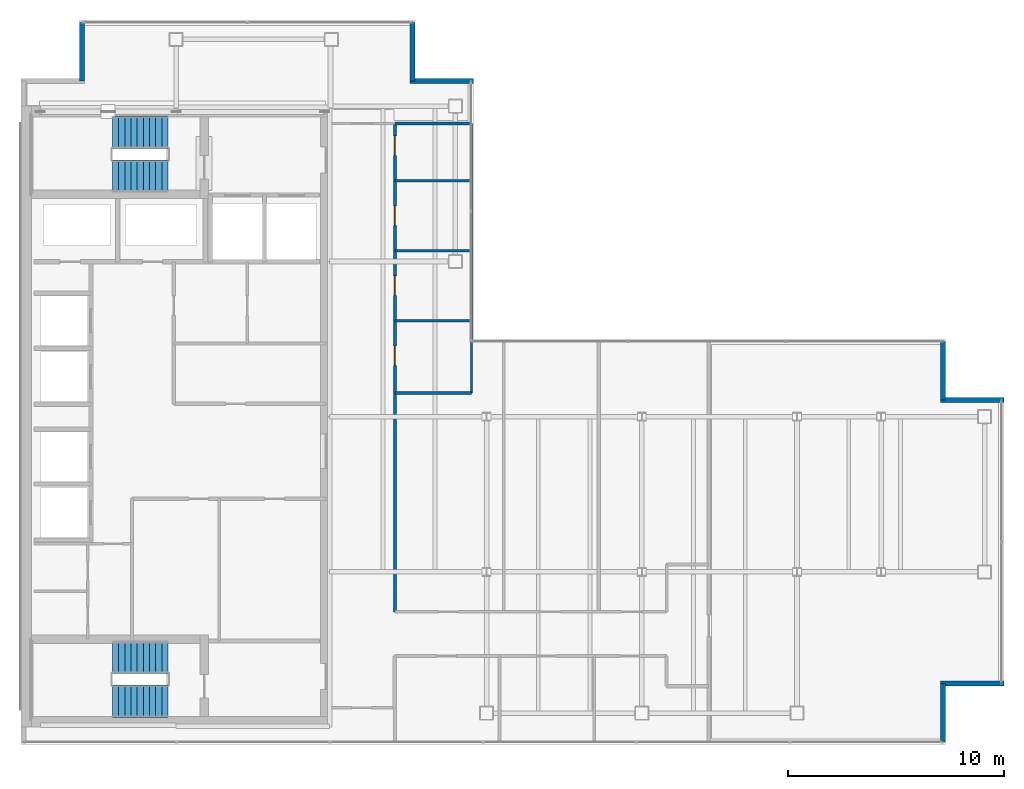
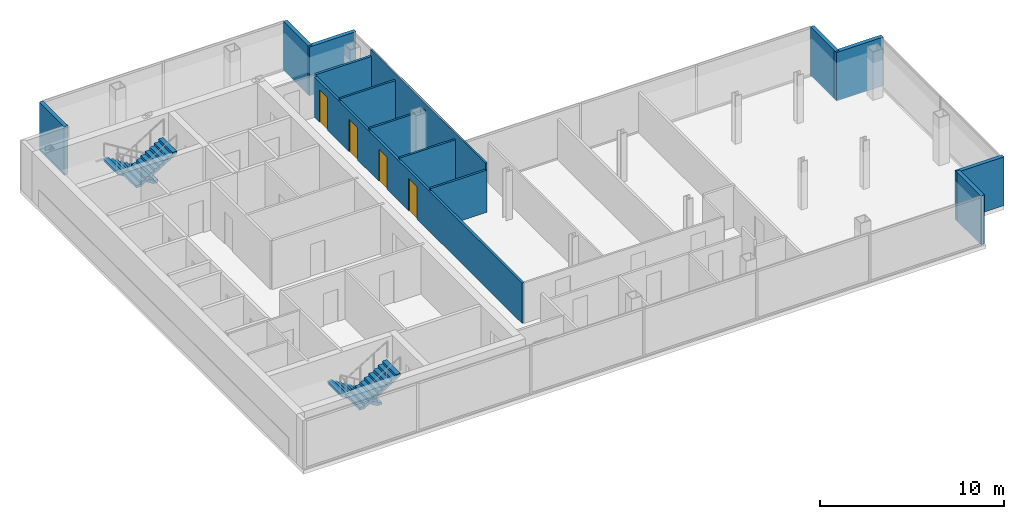
# One storey, part 22 of 23: 14 walls, 4 doors, 4 stair flights, 4 openings, 2 elements without a shape of their own.
"""IFC4 building model written with IfcOpenShell, lengths in metres."""

from ifc_helpers import new_model, si_unit, direction, frame, frame_2d, origin, place, context, subcontext, project, spatial, polyline, rectangle, outline, extrude, material, layer, layer_set, type_object, element, fill, aggregate, save


model = new_model("IFC4")

# Units and contexts
model_context = context("Model", 3, precision=1e-05, world=origin(), true_north=direction((0.0, 1.0)))
body_context = subcontext(model_context, "Body", "Model", "MODEL_VIEW")
ifc_project = project(units=[si_unit("LENGTHUNIT", "METRE"), si_unit("AREAUNIT", "SQUARE_METRE"), si_unit("VOLUMEUNIT", "CUBIC_METRE"), si_unit("PLANEANGLEUNIT", "RADIAN"), si_unit("MASSUNIT", "GRAM", prefix="KILO")], contexts=[model_context])

# Site, building, storey
site_placement = place(None, origin())
site = spatial("IfcSite", under=ifc_project, at=site_placement, CompositionType="ELEMENT")
building_placement = place(site_placement, origin())
building = spatial("IfcBuilding", under=site, at=building_placement, Name="Cobrela Telecom Tower", CompositionType="ELEMENT")
storey_placement = place(building_placement, frame((0.0, 0.0, 286.64990234375)))
storey = spatial("IfcBuildingStorey", under=building, at=storey_placement, Name="L75", CompositionType="ELEMENT", Elevation=286.64990234375)

# Walls
ifc_material_1 = material(Name="Concrete C40/50", Category="concrete")
ifc_layer_1 = layer(ifc_material_1, 0.239990234375)
ifc_layer_set_1 = layer_set([ifc_layer_1], Name="Concrete C40/50")
wall_type_1 = type_object("IfcWallType", Name="WALL-EXT-300", PredefinedType="STANDARD", material=ifc_layer_set_1)
for number, where, z_axis, x_axis, name in (
    (1, (2.830078125, 37.169921875, 0.0), (0.0, 0.0, 1.0), (0.0, 1.0, 0.0), "L75 Insulated Facade Wall 04"),
    (2, (18.169921875, 39.8798828125, 0.0), (0.0, 0.0, 1.0), (0.0, -1.0, 0.0), "L75 Insulated Facade Wall 06"),
):
    element("IfcWall", number, at=place(storey_placement, frame(where, z_axis=z_axis, x_axis=x_axis)), inside=storey, type_object=wall_type_1, Name=name, PredefinedType="STANDARD", context=body_context, shape_type="SweptSolid", body=[
        extrude(rectangle(XDim=2.7099609375, YDim=0.239990234375, at=frame_2d((1.35498046875, 0.0))), origin(), (0.0, 0.0, 1.0), 3.239990234375),
    ])
wall_1_placement = place(storey_placement, frame((18.050048828125, 37.169921875, 0.0), z_axis=(0.0, 0.0, 1.0), x_axis=(1.0, 0.0, 0.0)))
element("IfcWall", 3, at=wall_1_placement, inside=storey, type_object=wall_type_1, Name="L75 Insulated Facade Wall 07", PredefinedType="STANDARD", context=body_context, shape_type="SweptSolid", body=[
    extrude(rectangle(XDim=2.949951171875, YDim=0.239990234375, at=frame_2d((1.47509765625, 0.0))), origin(), (0.0, 0.0, 1.0), 3.239990234375),
])
wall_2_placement = place(storey_placement, frame((42.77001953125, 25.080078125, 0.0), z_axis=(0.0, 0.0, 1.0), x_axis=(0.0, -1.0, 0.0)))
element("IfcWall", 4, at=wall_2_placement, inside=storey, type_object=wall_type_1, Name="L75 Insulated Facade Wall 10", PredefinedType="STANDARD", context=body_context, shape_type="SweptSolid", body=[
    extrude(rectangle(XDim=2.7099609375, YDim=0.239990234375, at=frame_2d((1.35498046875, 0.0))), origin(), (0.0, 0.0, 1.0), 3.239990234375),
])
for number, where, z_axis, x_axis, name in (
    (5, (42.64990234375, 22.3701171875, 0.0), (0.0, 0.0, 1.0), (1.0, 0.0, 0.0), "L75 Insulated Facade Wall 11"),
    (6, (45.60009765625, 9.22998046875, 0.0), (0.0, 0.0, 1.0), (-1.0, 0.0, 0.0), "L75 Insulated Facade Wall 13"),
):
    element("IfcWall", number, at=place(storey_placement, frame(where, z_axis=z_axis, x_axis=x_axis)), inside=storey, type_object=wall_type_1, Name=name, PredefinedType="STANDARD", context=body_context, shape_type="SweptSolid", body=[
        extrude(rectangle(XDim=2.9501953125, YDim=0.239990234375, at=frame_2d((1.47509765625, 0.0))), origin(), (0.0, 0.0, 1.0), 3.239990234375),
    ])
wall_3_placement = place(storey_placement, frame((42.77001953125, 9.22998046875, 0.0), z_axis=(0.0, 0.0, 1.0), x_axis=(0.0, -1.0, 0.0)))
element("IfcWall", 7, at=wall_3_placement, inside=storey, type_object=wall_type_1, Name="L75 Insulated Facade Wall 14", PredefinedType="STANDARD", context=body_context, shape_type="SweptSolid", body=[
    extrude(rectangle(XDim=2.7099609375, YDim=0.239990234375, at=frame_2d((1.35498046875, 0.0))), origin(), (0.0, 0.0, 1.0), 3.239990234375),
])
ifc_material_2 = material(Name="Fire-Rated Gypsum Plasterboard")
ifc_layer_2 = layer(ifc_material_2, 0.110107421875)
ifc_layer_set_2 = layer_set([ifc_layer_2], Name="Fire-Rated Gypsum Plasterboard")
wall_type_2 = type_object("IfcWallType", Name="WALL-PART-110", PredefinedType="PARTITIONING", material=ifc_layer_set_2)
wall_4_placement = place(storey_placement, frame((20.89990234375, 22.699951171875, 0.0), z_axis=(0.0, 0.0, 1.0), x_axis=(0.0, 1.0, 0.0)))
element("IfcWall", 8, at=wall_4_placement, inside=storey, type_object=wall_type_2, Name="L75 Interior Partition W-WC-E", PredefinedType="PARTITIONING", context=body_context, shape_type="SweptSolid", body=[
    extrude(rectangle(XDim=12.5, YDim=0.110107421875, at=frame_2d((6.25, 0.0))), origin(), (0.0, 0.0, 1.0), 3.239990234375),
])
ifc_layer_3 = layer(ifc_material_2, 0.125)
ifc_layer_set_3 = layer_set([ifc_layer_3], Name="Fire-Rated Gypsum Plasterboard")
wall_type_3 = type_object("IfcWallType", Name="WALL-PART-125", PredefinedType="PARTITIONING", material=ifc_layer_set_3)
for number, where, z_axis, x_axis, name in (
    (9, (17.35009765625, 26.050048828125, 0.0), (0.0, 0.0, 1.0), (1.0, 0.0, 0.0), "L75 Interior Partition W-WCD-1"),
    (10, (17.35009765625, 29.300048828125, 0.0), (0.0, 0.0, 1.0), (1.0, 0.0, 0.0), "L75 Interior Partition W-WCD-2"),
    (11, (17.35009765625, 32.550048828125, 0.0), (0.0, 0.0, 1.0), (1.0, 0.0, 0.0), "L75 Interior Partition W-WCD-3"),
):
    element("IfcWall", number, at=place(storey_placement, frame(where, z_axis=z_axis, x_axis=x_axis)), inside=storey, type_object=wall_type_3, Name=name, PredefinedType="PARTITIONING", context=body_context, shape_type="SweptSolid", body=[
        extrude(rectangle(XDim=3.5498046875, YDim=0.125, at=frame_2d((1.77490234375, 0.0))), origin(), (0.0, 0.0, 1.0), 2.80810546875),
    ])
ifc_layer_4 = layer(ifc_material_2, 0.135009765625)
ifc_layer_set_4 = layer_set([ifc_layer_4], Name="Fire-Rated Gypsum Plasterboard")
wall_type_4 = type_object("IfcWallType", Name="WALL-PART-135", PredefinedType="PARTITIONING", material=ifc_layer_set_4)
wall_5_placement = place(storey_placement, frame((17.35009765625, 22.699951171875, 0.0), z_axis=(0.0, 0.0, 1.0), x_axis=(1.0, 0.0, 0.0)))
element("IfcWall", 12, at=wall_5_placement, inside=storey, type_object=wall_type_4, Name="L75 Interior Partition W-WC-S", PredefinedType="PARTITIONING", context=body_context, shape_type="SweptSolid", body=[
    extrude(rectangle(XDim=3.5498046875, YDim=0.135009765625, at=frame_2d((1.77490234375, 0.0))), origin(), (0.0, 0.0, 1.0), 2.80810546875),
])

# Wall, openings, doors
ifc_layer_5 = layer(ifc_material_2, 0.14990234375)
ifc_layer_set_5 = layer_set([ifc_layer_5], Name="Fire-Rated Gypsum Plasterboard")
wall_type_5 = type_object("IfcWallType", Name="WALL-PART-150", PredefinedType="PARTITIONING", material=ifc_layer_set_5)
wall_6_placement = place(storey_placement, frame((17.35009765625, 12.550048828125, 0.0), z_axis=(0.0, 0.0, 1.0), x_axis=(0.0, 1.0, 0.0)))
wall_6 = element("IfcWall", 13, at=wall_6_placement, inside=storey, type_object=wall_type_5, Name="L75 Interior Partition W-C-E2", PredefinedType="PARTITIONING", context=body_context, shape_type="SweptSolid", body=[
    extrude(rectangle(XDim=22.64990234375, YDim=0.14990234375, at=frame_2d((11.324951171875, 0.0))), origin(), (0.0, 0.0, 1.0), 2.676025390625),
])
opening_1_placement = place(wall_6_placement, frame((11.429931640625, 0.0, 0.0)))
opening_1 = element("IfcOpeningElement", 14, at=opening_1_placement, cuts=wall_6, Name="Opening DR-41", PredefinedType="OPENING", context=body_context, shape_type="SweptSolid", body=[
    extrude(rectangle(XDim=0.89990234375, YDim=2.14990234375, at=frame_2d((0.449951171875, 1.074951171875))), frame((0.0, 0.0869140625, 0.0), z_axis=(0.0, -1.0, 0.0), x_axis=(1.0, 0.0, 0.0)), (0.0, 0.0, 1.0), 0.173828125),
])
opening_2_placement = place(wall_6_placement, frame((14.679931640625, 0.0, 0.0)))
opening_2 = element("IfcOpeningElement", 15, at=opening_2_placement, cuts=wall_6, Name="Opening DR-41", PredefinedType="OPENING", context=body_context, shape_type="SweptSolid", body=[
    extrude(rectangle(XDim=0.89990234375, YDim=2.14990234375, at=frame_2d((0.449951171875, 1.074951171875))), frame((0.0, 0.0869140625, 0.0), z_axis=(0.0, -1.0, 0.0), x_axis=(1.0, 0.0, 0.0)), (0.0, 0.0, 1.0), 0.173828125),
])
opening_3_placement = place(wall_6_placement, frame((17.929931640625, 0.0, 0.0)))
opening_3 = element("IfcOpeningElement", 16, at=opening_3_placement, cuts=wall_6, Name="Opening DR-41", PredefinedType="OPENING", context=body_context, shape_type="SweptSolid", body=[
    extrude(rectangle(XDim=0.89990234375, YDim=2.14990234375, at=frame_2d((0.449951171875, 1.074951171875))), frame((0.0, 0.0869140625, 0.0), z_axis=(0.0, -1.0, 0.0), x_axis=(1.0, 0.0, 0.0)), (0.0, 0.0, 1.0), 0.173828125),
])
opening_4_placement = place(wall_6_placement, frame((21.169921875, 0.0, 0.0)))
opening_4 = element("IfcOpeningElement", 17, at=opening_4_placement, cuts=wall_6, Name="Opening DR-41", PredefinedType="OPENING", context=body_context, shape_type="SweptSolid", body=[
    extrude(rectangle(XDim=0.89990234375, YDim=2.14990234375, at=frame_2d((0.449951171875, 1.074951171875))), frame((0.0, 0.0869140625, 0.0), z_axis=(0.0, -1.0, 0.0), x_axis=(1.0, 0.0, 0.0)), (0.0, 0.0, 1.0), 0.173828125),
])
ifc_material_3 = material(Name="Solid Engineered Oak Timber", Category="wood")
door_type = type_object("IfcDoorType", Name="DOOR-INT-900", OperationType="SINGLE_SWING_LEFT", PredefinedType="DOOR", material=ifc_material_3)
door_1_placement = place(opening_1_placement, origin())
door_1 = element("IfcDoor", 18, at=door_1_placement, inside=storey, type_object=door_type, Name="L75 Door DR-41", OperationType="SINGLE_SWING_LEFT", OverallHeight=2.14990234375, OverallWidth=0.89990234375, PredefinedType="DOOR", context=body_context, shape_type="SweptSolid", body=[
    extrude(rectangle(XDim=0.89990234375, YDim=2.14990234375, at=frame_2d((0.449951171875, 1.074951171875))), frame((0.0, 0.02490234375, 0.0), z_axis=(0.0, -1.0, 0.0), x_axis=(1.0, 0.0, 0.0)), (0.0, 0.0, 1.0), 0.050048828125),
])
fill(opening_1, door_1)
door_2_placement = place(opening_2_placement, origin())
door_2 = element("IfcDoor", 19, at=door_2_placement, inside=storey, type_object=door_type, Name="L75 Door DR-41", OperationType="SINGLE_SWING_RIGHT", OverallHeight=2.14990234375, OverallWidth=0.89990234375, PredefinedType="DOOR", context=body_context, shape_type="SweptSolid", body=[
    extrude(rectangle(XDim=0.89990234375, YDim=2.14990234375, at=frame_2d((0.449951171875, 1.074951171875))), frame((0.0, 0.02490234375, 0.0), z_axis=(0.0, -1.0, 0.0), x_axis=(1.0, 0.0, 0.0)), (0.0, 0.0, 1.0), 0.050048828125),
])
fill(opening_2, door_2)
door_3_placement = place(opening_3_placement, origin())
door_3 = element("IfcDoor", 20, at=door_3_placement, inside=storey, type_object=door_type, Name="L75 Door DR-41", OperationType="SINGLE_SWING_LEFT", OverallHeight=2.14990234375, OverallWidth=0.89990234375, PredefinedType="DOOR", context=body_context, shape_type="SweptSolid", body=[
    extrude(rectangle(XDim=0.89990234375, YDim=2.14990234375, at=frame_2d((0.449951171875, 1.074951171875))), frame((0.0, 0.02490234375, 0.0), z_axis=(0.0, -1.0, 0.0), x_axis=(1.0, 0.0, 0.0)), (0.0, 0.0, 1.0), 0.050048828125),
])
fill(opening_3, door_3)
door_4_placement = place(opening_4_placement, origin())
door_4 = element("IfcDoor", 21, at=door_4_placement, inside=storey, type_object=door_type, Name="L75 Door DR-41", OperationType="SINGLE_SWING_RIGHT", OverallHeight=2.14990234375, OverallWidth=0.89990234375, PredefinedType="DOOR", context=body_context, shape_type="SweptSolid", body=[
    extrude(rectangle(XDim=0.89990234375, YDim=2.14990234375, at=frame_2d((0.449951171875, 1.074951171875))), frame((0.0, 0.02490234375, 0.0), z_axis=(0.0, -1.0, 0.0), x_axis=(1.0, 0.0, 0.0)), (0.0, 0.0, 1.0), 0.050048828125),
])
fill(opening_4, door_4)

# Wall
wall_7_placement = place(storey_placement, frame((17.35009765625, 35.199951171875, 0.0), z_axis=(0.0, 0.0, 1.0), x_axis=(1.0, 0.0, 0.0)))
element("IfcWall", 22, at=wall_7_placement, inside=storey, type_object=wall_type_5, Name="L75 Interior Partition W-NW-S", PredefinedType="PARTITIONING", context=body_context, shape_type="SweptSolid", body=[
    extrude(rectangle(XDim=3.52978515625, YDim=0.14990234375, at=frame_2d((1.764892578125, 0.0))), origin(), (0.0, 0.0, 1.0), 2.80810546875),
])

# Stair, stair flights
stair_type = type_object("IfcStairType", Name="STAIR-CORE", PredefinedType="HALF_TURN_STAIR", material=ifc_material_1)
stair_1_placement = place(storey_placement, origin())
stair_1 = element("IfcStair", 23, at=stair_1_placement, inside=storey, type_object=stair_type, Name="L75 Smokeproof Exit Stair ST1", PredefinedType="HALF_TURN_STAIR")
stair_flight_type = type_object("IfcStairFlightType", Name="FLIGHT-CORE", PredefinedType="STRAIGHT", material=ifc_material_1)
stair_flight_1_placement = place(storey_placement, frame((6.820068359375, 34.800048828125, 0.0), z_axis=(0.0, 0.0, 1.0), x_axis=(-1.0, 0.0, 0.0)))
stair_flight_1 = element("IfcStairFlight", 24, at=stair_flight_1_placement, type_object=stair_flight_type, Name="ST1 flight 1", NumberOfRisers=10, NumberOfTreads=9, PredefinedType="STRAIGHT", RiserHeight=0.175, TreadLength=0.285, context=body_context, shape_type="SweptSolid", body=[
    extrude(outline(polyline([(0.0, 0.0), (0.0, 0.175048828125), (0.284912109375, 0.175048828125), (0.284912109375, 0.35009765625), (0.570068359375, 0.35009765625), (0.570068359375, 0.52490234375), (0.85498046875, 0.52490234375), (0.85498046875, 0.699951171875), (1.139892578125, 0.699951171875), (1.139892578125, 0.875), (1.425048828125, 0.875), (1.425048828125, 1.050048828125), (1.7099609375, 1.050048828125), (1.7099609375, 1.22509765625), (1.9951171875, 1.22509765625), (1.9951171875, 1.39990234375), (2.280029296875, 1.39990234375), (2.280029296875, 1.574951171875), (2.56494140625, 1.574951171875), (2.56494140625, 1.75), (2.56494140625, 1.399169921875), (0.286376953125, 0.0), (0.0, 0.0)])), frame((0.0, 0.75, 0.0), z_axis=(0.0, -1.0, 0.0), x_axis=(1.0, 0.0, 0.0)), (0.0, 0.0, 1.0), 1.5),
])
stair_flight_2_placement = place(storey_placement, frame((4.2548828125, 32.75, 1.75), z_axis=(0.0, 0.0, 1.0), x_axis=(1.0, 0.0, 0.0)))
stair_flight_2 = element("IfcStairFlight", 25, at=stair_flight_2_placement, type_object=stair_flight_type, Name="ST1 flight 2", NumberOfRisers=10, NumberOfTreads=9, PredefinedType="STRAIGHT", RiserHeight=0.175, TreadLength=0.285, context=body_context, shape_type="SweptSolid", body=[
    extrude(outline(polyline([(0.0, 0.0), (0.0, 0.175048828125), (0.284912109375, 0.175048828125), (0.284912109375, 0.35009765625), (0.570068359375, 0.35009765625), (0.570068359375, 0.52490234375), (0.85498046875, 0.52490234375), (0.85498046875, 0.699951171875), (1.139892578125, 0.699951171875), (1.139892578125, 0.875), (1.425048828125, 0.875), (1.425048828125, 1.050048828125), (1.7099609375, 1.050048828125), (1.7099609375, 1.22509765625), (1.9951171875, 1.22509765625), (1.9951171875, 1.39990234375), (2.280029296875, 1.39990234375), (2.280029296875, 1.574951171875), (2.56494140625, 1.574951171875), (2.56494140625, 1.75), (2.56494140625, 1.399169921875), (0.286376953125, 0.0), (0.0, 0.0)])), frame((0.0, 0.75, 0.0), z_axis=(0.0, -1.0, 0.0), x_axis=(1.0, 0.0, 0.0)), (0.0, 0.0, 1.0), 1.5),
])
aggregate(stair_1, [stair_flight_1, stair_flight_2])

stair_2_placement = place(storey_placement, origin())
stair_2 = element("IfcStair", 26, at=stair_2_placement, inside=storey, type_object=stair_type, Name="L75 Smokeproof Exit Stair ST2", PredefinedType="HALF_TURN_STAIR")
stair_flight_3_placement = place(storey_placement, frame((6.820068359375, 10.449951171875, 0.0), z_axis=(0.0, 0.0, 1.0), x_axis=(-1.0, 0.0, 0.0)))
stair_flight_3 = element("IfcStairFlight", 27, at=stair_flight_3_placement, type_object=stair_flight_type, Name="ST2 flight 1", NumberOfRisers=10, NumberOfTreads=9, PredefinedType="STRAIGHT", RiserHeight=0.175, TreadLength=0.285, context=body_context, shape_type="SweptSolid", body=[
    extrude(outline(polyline([(0.0, 0.0), (0.0, 0.175048828125), (0.284912109375, 0.175048828125), (0.284912109375, 0.35009765625), (0.570068359375, 0.35009765625), (0.570068359375, 0.52490234375), (0.85498046875, 0.52490234375), (0.85498046875, 0.699951171875), (1.139892578125, 0.699951171875), (1.139892578125, 0.875), (1.425048828125, 0.875), (1.425048828125, 1.050048828125), (1.7099609375, 1.050048828125), (1.7099609375, 1.22509765625), (1.9951171875, 1.22509765625), (1.9951171875, 1.39990234375), (2.280029296875, 1.39990234375), (2.280029296875, 1.574951171875), (2.56494140625, 1.574951171875), (2.56494140625, 1.75), (2.56494140625, 1.399169921875), (0.286376953125, 0.0), (0.0, 0.0)])), frame((0.0, 0.75, 0.0), z_axis=(0.0, -1.0, 0.0), x_axis=(1.0, 0.0, 0.0)), (0.0, 0.0, 1.0), 1.5),
])
stair_flight_4_placement = place(storey_placement, frame((4.2548828125, 8.39990234375, 1.75), z_axis=(0.0, 0.0, 1.0), x_axis=(1.0, 0.0, 0.0)))
stair_flight_4 = element("IfcStairFlight", 28, at=stair_flight_4_placement, type_object=stair_flight_type, Name="ST2 flight 2", NumberOfRisers=10, NumberOfTreads=9, PredefinedType="STRAIGHT", RiserHeight=0.175, TreadLength=0.285, context=body_context, shape_type="SweptSolid", body=[
    extrude(outline(polyline([(0.0, 0.0), (0.0, 0.175048828125), (0.284912109375, 0.175048828125), (0.284912109375, 0.35009765625), (0.570068359375, 0.35009765625), (0.570068359375, 0.52490234375), (0.85498046875, 0.52490234375), (0.85498046875, 0.699951171875), (1.139892578125, 0.699951171875), (1.139892578125, 0.875), (1.425048828125, 0.875), (1.425048828125, 1.050048828125), (1.7099609375, 1.050048828125), (1.7099609375, 1.22509765625), (1.9951171875, 1.22509765625), (1.9951171875, 1.39990234375), (2.280029296875, 1.39990234375), (2.280029296875, 1.574951171875), (2.56494140625, 1.574951171875), (2.56494140625, 1.75), (2.56494140625, 1.399169921875), (0.286376953125, 0.0), (0.0, 0.0)])), frame((0.0, 0.75, 0.0), z_axis=(0.0, -1.0, 0.0), x_axis=(1.0, 0.0, 0.0)), (0.0, 0.0, 1.0), 1.5),
])
aggregate(stair_2, [stair_flight_3, stair_flight_4])

save(model, "model.ifc")
